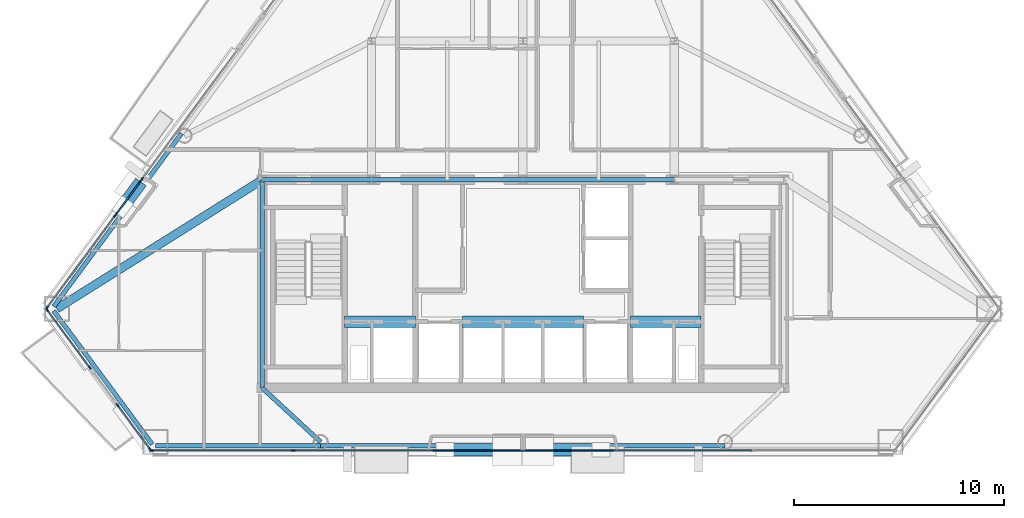
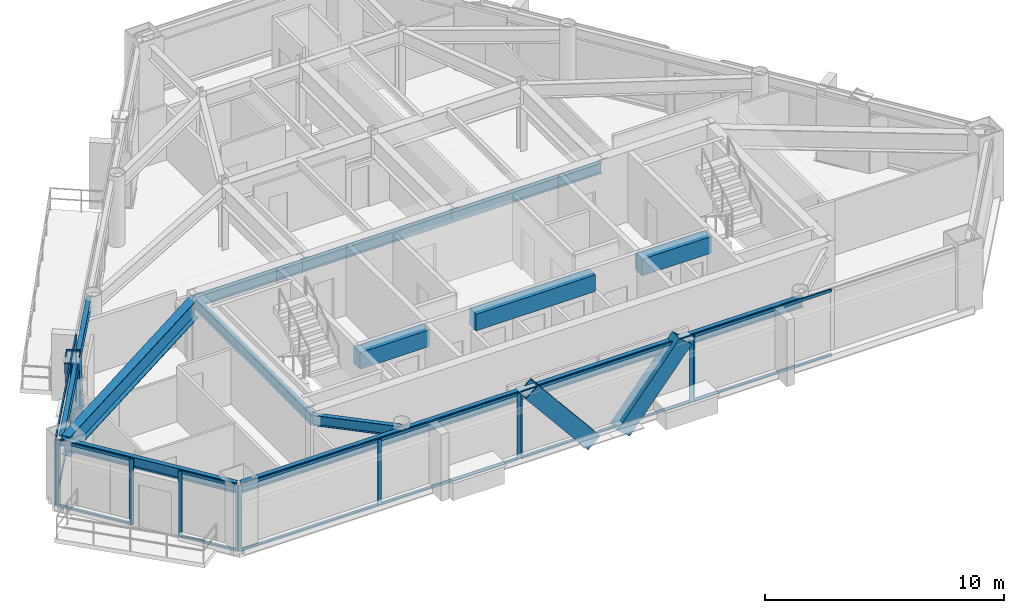
# One storey, part 3 of 11: 34 members, 13 beams, 8 elements without a shape of their own.
"""IFC4 building model written with IfcOpenShell, lengths in metres."""

from ifc_helpers import new_model, si_unit, direction, frame, origin, origin_2d, place, context, subcontext, project, spatial, rectangle, hollow_rectangle, i_section, extrude, material, layer, layer_set, material_profile, profile_set, type_object, element, aggregate, save


model = new_model("IFC4")

# Units and contexts
model_context = context("Model", 3, precision=1e-05, world=origin(), true_north=direction((0.0, 1.0)))
body_context = subcontext(model_context, "Body", "Model", "MODEL_VIEW")
ifc_project = project(units=[si_unit("LENGTHUNIT", "METRE"), si_unit("AREAUNIT", "SQUARE_METRE"), si_unit("VOLUMEUNIT", "CUBIC_METRE"), si_unit("PLANEANGLEUNIT", "RADIAN"), si_unit("MASSUNIT", "GRAM", prefix="KILO")], contexts=[model_context])

# Site, building, storey
site_placement = place(None, origin())
site = spatial("IfcSite", under=ifc_project, at=site_placement, CompositionType="ELEMENT")
building_placement = place(site_placement, origin())
building = spatial("IfcBuilding", under=site, at=building_placement, Name="Talgorran Terracotta Tower", CompositionType="ELEMENT")
storey_placement = place(building_placement, frame((0.0, 0.0, 150.89990234375)))
storey = spatial("IfcBuildingStorey", under=building, at=storey_placement, Name="L39", CompositionType="ELEMENT", Elevation=150.89990234375)

# Beams
ifc_material_1 = material(Name="Steel Grade 350 (350L0)", Category="steel")
ifc_material_profile_1 = material_profile(ifc_material_1, i_section(OverallWidth=0.39990234375, OverallDepth=1.0, WebThickness=0.01611328125, FlangeThickness=0.031005859375, at=origin_2d()), Name="1000WB296")
ifc_profile_set_1 = profile_set([ifc_material_profile_1], Name="Steel Grade 350 (350L0)")
beam_type_1 = type_object("IfcBeamType", Name="BM_1000WB296", PredefinedType="BEAM", material=ifc_profile_set_1)
beam_1_placement = place(storey_placement, frame((-12.39990234375, -4.199951171875, 2.85009765625), z_axis=(-0.846977550412, -0.531628657145, 0.0), x_axis=(0.531628657145, -0.846977550412, 0.0)))
element("IfcBeam", 1, at=beam_1_placement, inside=storey, type_object=beam_type_1, Name="L39 Floor Girder G17", PredefinedType="BEAM", context=body_context, shape_type="SweptSolid", body=[
    extrude(i_section(OverallWidth=0.39990234375, OverallDepth=1.0, WebThickness=0.01611328125, FlangeThickness=0.031005859375, at=origin_2d()), origin(), (0.0, 0.0, 1.0), 11.533203125),
])
ifc_material_2 = material(Name="Concrete C50/60", Category="concrete")
ifc_material_profile_2 = material_profile(ifc_material_2, rectangle(XDim=0.550048828125, YDim=0.85009765625, at=origin_2d()), Name="RCCB550X850")
ifc_profile_set_2 = profile_set([ifc_material_profile_2], Name="Concrete C50/60")
beam_type_2 = type_object("IfcBeamType", Name="BM_CB_550X850", PredefinedType="LINTEL", material=ifc_profile_set_2)
beam_2_placement = place(storey_placement, frame((-8.47998046875, -10.949951171875, 2.925048828125), z_axis=(1.0, 0.0, 0.0), x_axis=(0.0, 1.0, 0.0)))
element("IfcBeam", 2, at=beam_2_placement, inside=storey, type_object=beam_type_2, Name="L39 Core Shear-Wall Coupling Beam CB1", PredefinedType="LINTEL", context=body_context, shape_type="SweptSolid", body=[
    extrude(rectangle(XDim=0.550048828125, YDim=0.85009765625, at=origin_2d()), origin(), (0.0, 0.0, 1.0), 3.35986328125),
])
beam_3_placement = place(storey_placement, frame((-2.8798828125, -10.949951171875, 2.925048828125), z_axis=(1.0, 0.0, 0.0), x_axis=(0.0, 1.0, 0.0)))
element("IfcBeam", 3, at=beam_3_placement, inside=storey, type_object=beam_type_2, Name="L39 Core Shear-Wall Coupling Beam CB2", PredefinedType="LINTEL", context=body_context, shape_type="SweptSolid", body=[
    extrude(rectangle(XDim=0.550048828125, YDim=0.85009765625, at=origin_2d()), origin(), (0.0, 0.0, 1.0), 5.759765625),
])
beam_4_placement = place(storey_placement, frame((5.1201171875, -10.949951171875, 2.925048828125), z_axis=(1.0, 0.0, 0.0), x_axis=(0.0, 1.0, 0.0)))
element("IfcBeam", 4, at=beam_4_placement, inside=storey, type_object=beam_type_2, Name="L39 Core Shear-Wall Coupling Beam CB3", PredefinedType="LINTEL", context=body_context, shape_type="SweptSolid", body=[
    extrude(rectangle(XDim=0.550048828125, YDim=0.85009765625, at=origin_2d()), origin(), (0.0, 0.0, 1.0), 3.35986328125),
])
ifc_material_3 = material(Name="Steel S355 (300PLUS)", Category="steel")
ifc_material_profile_3 = material_profile(ifc_material_3, i_section(OverallWidth=0.209228515625, OverallDepth=0.532958984375, WebThickness=0.01025390625, FlangeThickness=0.015625, at=origin_2d()), Name="530UB92.4")
ifc_profile_set_3 = profile_set([ifc_material_profile_3], Name="Steel S355 (300PLUS)")
beam_type_3 = type_object("IfcBeamType", Name="BM_SP_530UB92", PredefinedType="SPANDREL", material=ifc_profile_set_3)
beam_5_placement = place(storey_placement, frame((-22.31298828125, -10.43798828125, 3.08349609375), z_axis=(0.594068918856, -0.804414146848, 0.0), x_axis=(0.804414146848, 0.594068918856, 0.0)))
element("IfcBeam", 5, at=beam_5_placement, inside=storey, type_object=beam_type_3, Name="L39 Perimeter Spandrel Beam MC1-MC2", PredefinedType="SPANDREL", context=body_context, shape_type="SweptSolid", body=[
    extrude(i_section(OverallWidth=0.209228515625, OverallDepth=0.532958984375, WebThickness=0.01025390625, FlangeThickness=0.015625, at=origin_2d()), origin(), (0.0, 0.0, 1.0), 7.885498046875),
])
beam_6_placement = place(storey_placement, frame((-17.483642578125, -16.8544921875, 3.08349609375), z_axis=(1.0, 0.0, 0.0), x_axis=(0.0, 1.0, 0.0)))
element("IfcBeam", 6, at=beam_6_placement, inside=storey, type_object=beam_type_3, Name="L39 Perimeter Spandrel Beam MC2-FC1", PredefinedType="SPANDREL", context=body_context, shape_type="SweptSolid", body=[
    extrude(i_section(OverallWidth=0.209228515625, OverallDepth=0.532958984375, WebThickness=0.01025390625, FlangeThickness=0.015625, at=origin_2d()), origin(), (0.0, 0.0, 1.0), 7.86767578125),
])
beam_7_placement = place(storey_placement, frame((-9.615966796875, -16.8544921875, 3.08349609375), z_axis=(1.0, 0.0, 0.0), x_axis=(0.0, 1.0, 0.0)))
element("IfcBeam", 7, at=beam_7_placement, inside=storey, type_object=beam_type_3, Name="L39 Perimeter Spandrel Beam FC1-FC2", PredefinedType="SPANDREL", context=body_context, shape_type="SweptSolid", body=[
    extrude(i_section(OverallWidth=0.209228515625, OverallDepth=0.532958984375, WebThickness=0.01025390625, FlangeThickness=0.015625, at=origin_2d()), origin(), (0.0, 0.0, 1.0), 19.23193359375),
])
beam_8_placement = place(storey_placement, frame((-16.236328125, -1.99609375, 3.08349609375), z_axis=(-0.594068215055, -0.804414666613, 0.0), x_axis=(0.804414666613, -0.594068215055, 0.0)))
element("IfcBeam", 8, at=beam_8_placement, inside=storey, type_object=beam_type_3, Name="L39 Perimeter Spandrel Beam FC6-MC1", PredefinedType="SPANDREL", context=body_context, shape_type="SweptSolid", body=[
    extrude(i_section(OverallWidth=0.209228515625, OverallDepth=0.532958984375, WebThickness=0.01025390625, FlangeThickness=0.015625, at=origin_2d()), origin(), (0.0, 0.0, 1.0), 10.22900390625),
])
beam_9_placement = place(storey_placement, frame((-9.615966796875, -16.67431640625, 3.08349609375), z_axis=(-0.734220592544, 0.678910982003, 0.0), x_axis=(-0.678910982003, -0.734220592544, 0.0)))
element("IfcBeam", 9, at=beam_9_placement, inside=storey, type_object=beam_type_3, Name="L39 South-West Core Tie Beam", PredefinedType="SPANDREL", context=body_context, shape_type="SweptSolid", body=[
    extrude(i_section(OverallWidth=0.209228515625, OverallDepth=0.532958984375, WebThickness=0.01025390625, FlangeThickness=0.015625, at=origin_2d()), origin(), (0.0, 0.0, 1.0), 3.791748046875),
])
beam_10_placement = place(storey_placement, frame((-12.39990234375, -14.10009765625, 3.08349609375), z_axis=(0.0, 1.0, 0.0), x_axis=(-1.0, 0.0, 0.0)))
element("IfcBeam", 10, at=beam_10_placement, inside=storey, type_object=beam_type_3, Name="L39 Core Frame Beam CFW", PredefinedType="SPANDREL", context=body_context, shape_type="SweptSolid", body=[
    extrude(i_section(OverallWidth=0.209228515625, OverallDepth=0.532958984375, WebThickness=0.01025390625, FlangeThickness=0.015625, at=origin_2d()), origin(), (0.0, 0.0, 1.0), 9.900146484375),
])
beam_11_placement = place(storey_placement, frame((-12.39990234375, -4.199951171875, 3.08349609375), z_axis=(1.0, 0.0, 0.0), x_axis=(0.0, 1.0, 0.0)))
element("IfcBeam", 11, at=beam_11_placement, inside=storey, type_object=beam_type_3, Name="L39 Core Frame Beam CFN1", PredefinedType="SPANDREL", context=body_context, shape_type="SweptSolid", body=[
    extrude(i_section(OverallWidth=0.209228515625, OverallDepth=0.532958984375, WebThickness=0.01025390625, FlangeThickness=0.015625, at=origin_2d()), origin(), (0.0, 0.0, 1.0), 5.199951171875),
])
for number, where, z_axis, x_axis, name in (
    (12, (-7.199951171875, -4.199951171875, 3.08349609375), (1.0, 0.0, 0.0), (0.0, 1.0, 0.0), "L39 Core Frame Beam CFN2"),
    (13, (0.0, -4.199951171875, 3.08349609375), (1.0, 0.0, 0.0), (0.0, 1.0, 0.0), "L39 Core Frame Beam CFN3"),
):
    element("IfcBeam", number, at=place(storey_placement, frame(where, z_axis=z_axis, x_axis=x_axis)), inside=storey, type_object=beam_type_3, Name=name, PredefinedType="SPANDREL", context=body_context, shape_type="SweptSolid", body=[
        extrude(i_section(OverallWidth=0.209228515625, OverallDepth=0.532958984375, WebThickness=0.01025390625, FlangeThickness=0.015625, at=origin_2d()), origin(), (0.0, 0.0, 1.0), 7.199951171875),
    ])

# Members
ifc_material_profile_4 = material_profile(ifc_material_1, hollow_rectangle(XDim=0.6201171875, YDim=0.780029296875, WallThickness=0.0419921875, at=origin_2d()), Name="WBOX780X620X42")
ifc_profile_set_4 = profile_set([ifc_material_profile_4], Name="Steel Grade 350 (350L0)")
member_type_1 = type_object("IfcMemberType", Name="MB_MEGA_780", PredefinedType="BRACE", material=ifc_profile_set_4)
for number, where, z_axis, x_axis, name in (
    (14, (-0.70654296875, -17.034423828125, -0.27001953125), (-0.635882994629, 0.0, 0.771785473523), (0.0, -1.0, 0.0), "L39 Exterior Face Mega-Brace MB-2 (SWF)"),
    (15, (0.70654296875, -17.034423828125, -0.27001953125), (0.635882994629, 0.0, 0.771785473523), (0.0, 1.0, 0.0), "L39 Exterior Face Mega-Brace MB-2 (SEF)"),
):
    element("IfcMember", number, at=place(storey_placement, frame(where, z_axis=z_axis, x_axis=x_axis)), inside=storey, type_object=member_type_1, Name=name, PredefinedType="BRACE", context=body_context, shape_type="SweptSolid", body=[
        extrude(hollow_rectangle(XDim=0.6201171875, YDim=0.780029296875, WallThickness=0.0419921875, at=origin_2d()), origin(), (0.0, 0.0, 1.0), 4.722900390625),
    ])
member_1_placement = place(storey_placement, frame((-18.385009765625, -4.6025390625, -0.27001953125), z_axis=(-0.171361494792, -0.232030646766, 0.957495178611), x_axis=(0.804407113158, -0.594078442885, 0.0)))
element("IfcMember", 16, at=member_1_placement, inside=storey, type_object=member_type_1, Name="L39 Exterior Face Mega-Brace MB-2 (NWL)", PredefinedType="BRACE", context=body_context, shape_type="SweptSolid", body=[
    extrude(hollow_rectangle(XDim=0.6201171875, YDim=0.780029296875, WallThickness=0.0419921875, at=origin_2d()), origin(), (0.0, 0.0, 1.0), 3.806884765625),
])

# Curtain wall, members
ifc_material_4 = material(Name="Unitised Low-E Double Glazing", Category="glass")
ifc_layer = layer(ifc_material_4, 0.199951171875, Name="CW_SYS2_RES_LOW")
ifc_layer_set = layer_set([ifc_layer], Name="Unitised Low-E Double Glazing")
curtain_wall_type = type_object("IfcCurtainWallType", Name="CW_SYS2_RES_LOW", PredefinedType="NOTDEFINED", material=ifc_layer_set)
curtain_wall_1_placement = place(storey_placement, origin())
curtain_wall_1 = element("IfcCurtainWall", 17, at=curtain_wall_1_placement, inside=storey, type_object=curtain_wall_type, Name="CW-L39-F10", PredefinedType="NOTDEFINED")
ifc_material_5 = material(Name="Architectural Aluminium 6063-T6", Category="aluminium")
ifc_material_profile_5 = material_profile(ifc_material_5, rectangle(XDim=0.06494140625, YDim=0.18505859375, at=origin_2d()), Name="CWM65X185")
ifc_profile_set_5 = profile_set([ifc_material_profile_5], Name="Architectural Aluminium 6063-T6")
member_type_2 = type_object("IfcMemberType", Name="MUL_65X185", PredefinedType="MULLION", material=ifc_profile_set_5)
member_2_placement = place(storey_placement, frame((-22.622314453125, -10.3896484375, 0.0), z_axis=(0.0, 0.0, 1.0), x_axis=(0.804413538674, 0.594069742369, 0.0)))
member_2 = element("IfcMember", 18, at=member_2_placement, type_object=member_type_2, Name="CW-L39-10 mullion 1", PredefinedType="MULLION", context=body_context, shape_type="SweptSolid", body=[
    extrude(rectangle(XDim=0.06494140625, YDim=0.18505859375, at=origin_2d()), origin(), (0.0, 0.0, 1.0), 3.35009765625),
])
member_3_placement = place(storey_placement, frame((-20.60205078125, -13.125244140625, 0.0), z_axis=(0.0, 0.0, 1.0), x_axis=(0.804413538674, 0.594069742369, 0.0)))
member_3 = element("IfcMember", 19, at=member_3_placement, type_object=member_type_2, Name="CW-L39-10 mullion 2", PredefinedType="MULLION", context=body_context, shape_type="SweptSolid", body=[
    extrude(rectangle(XDim=0.06494140625, YDim=0.18505859375, at=origin_2d()), origin(), (0.0, 0.0, 1.0), 3.35009765625),
])

curtain_wall_2_placement = place(storey_placement, origin())
curtain_wall_2 = element("IfcCurtainWall", 20, at=curtain_wall_2_placement, inside=storey, type_object=curtain_wall_type, Name="CW-L39-F11", PredefinedType="NOTDEFINED")
member_4_placement = place(storey_placement, frame((-19.2802734375, -14.9150390625, 0.0), z_axis=(0.0, 0.0, 1.0), x_axis=(0.804415964827, 0.594066457167, 0.0)))
member_4 = element("IfcMember", 21, at=member_4_placement, type_object=member_type_2, Name="CW-L39-11 mullion 1", PredefinedType="MULLION", context=body_context, shape_type="SweptSolid", body=[
    extrude(rectangle(XDim=0.06494140625, YDim=0.18505859375, at=origin_2d()), origin(), (0.0, 0.0, 1.0), 3.35009765625),
])
member_5_placement = place(storey_placement, frame((-17.728515625, -17.01611328125, 0.0), z_axis=(0.0, 0.0, 1.0), x_axis=(0.804415964827, 0.594066457167, 0.0)))
member_5 = element("IfcMember", 22, at=member_5_placement, type_object=member_type_2, Name="CW-L39-11 mullion 2", PredefinedType="MULLION", context=body_context, shape_type="SweptSolid", body=[
    extrude(rectangle(XDim=0.06494140625, YDim=0.18505859375, at=origin_2d()), origin(), (0.0, 0.0, 1.0), 3.35009765625),
])

curtain_wall_3_placement = place(storey_placement, origin())
curtain_wall_3 = element("IfcCurtainWall", 23, at=curtain_wall_3_placement, inside=storey, type_object=curtain_wall_type, Name="CW-L39-F1", PredefinedType="NOTDEFINED")
member_6_placement = place(storey_placement, frame((-17.65283203125, -17.074462890625, 0.0), z_axis=(0.0, 0.0, 1.0), x_axis=(0.0, 1.0, 0.0)))
member_6 = element("IfcMember", 24, at=member_6_placement, type_object=member_type_2, Name="CW-L39-1 mullion 1", PredefinedType="MULLION", context=body_context, shape_type="SweptSolid", body=[
    extrude(rectangle(XDim=0.06494140625, YDim=0.18505859375, at=origin_2d()), origin(), (0.0, 0.0, 1.0), 3.35009765625),
])
member_7_placement = place(storey_placement, frame((-10.925537109375, -17.074462890625, 0.0), z_axis=(0.0, 0.0, 1.0), x_axis=(0.0, 1.0, 0.0)))
member_7 = element("IfcMember", 25, at=member_7_placement, type_object=member_type_2, Name="CW-L39-1 mullion 2", PredefinedType="MULLION", context=body_context, shape_type="SweptSolid", body=[
    extrude(rectangle(XDim=0.06494140625, YDim=0.18505859375, at=origin_2d()), origin(), (0.0, 0.0, 1.0), 3.35009765625),
])
member_8_placement = place(storey_placement, frame((-4.1982421875, -17.074462890625, 0.0), z_axis=(0.0, 0.0, 1.0), x_axis=(0.0, 1.0, 0.0)))
member_8 = element("IfcMember", 26, at=member_8_placement, type_object=member_type_2, Name="CW-L39-1 mullion 3", PredefinedType="MULLION", context=body_context, shape_type="SweptSolid", body=[
    extrude(rectangle(XDim=0.06494140625, YDim=0.18505859375, at=origin_2d()), origin(), (0.0, 0.0, 1.0), 3.35009765625),
])

curtain_wall_4_placement = place(storey_placement, origin())
curtain_wall_4 = element("IfcCurtainWall", 27, at=curtain_wall_4_placement, inside=storey, type_object=curtain_wall_type, Name="CW-L39-F1B", PredefinedType="NOTDEFINED")
member_9_placement = place(storey_placement, frame((-4.123291015625, -17.074462890625, 0.0), z_axis=(0.0, 0.0, 1.0), x_axis=(0.0, 1.0, 0.0)))
member_9 = element("IfcMember", 28, at=member_9_placement, type_object=member_type_2, Name="CW-L39-1B mullion 1", PredefinedType="MULLION", context=body_context, shape_type="SweptSolid", body=[
    extrude(rectangle(XDim=0.06494140625, YDim=0.18505859375, at=origin_2d()), origin(), (0.0, 0.0, 1.0), 3.35009765625),
])
member_10_placement = place(storey_placement, frame((4.123291015625, -17.074462890625, 0.0), z_axis=(0.0, 0.0, 1.0), x_axis=(0.0, 1.0, 0.0)))
member_10 = element("IfcMember", 29, at=member_10_placement, type_object=member_type_2, Name="CW-L39-1B mullion 2", PredefinedType="MULLION", context=body_context, shape_type="SweptSolid", body=[
    extrude(rectangle(XDim=0.06494140625, YDim=0.18505859375, at=origin_2d()), origin(), (0.0, 0.0, 1.0), 3.35009765625),
])

# Curtain wall, member
curtain_wall_5_placement = place(storey_placement, origin())
curtain_wall_5 = element("IfcCurtainWall", 30, at=curtain_wall_5_placement, inside=storey, type_object=curtain_wall_type, Name="CW-L39-F1C", PredefinedType="NOTDEFINED")
member_11_placement = place(storey_placement, frame((4.1982421875, -17.074462890625, 0.0), z_axis=(0.0, 0.0, 1.0), x_axis=(0.0, 1.0, 0.0)))
member_11 = element("IfcMember", 31, at=member_11_placement, type_object=member_type_2, Name="CW-L39-1C mullion 1", PredefinedType="MULLION", context=body_context, shape_type="SweptSolid", body=[
    extrude(rectangle(XDim=0.06494140625, YDim=0.18505859375, at=origin_2d()), origin(), (0.0, 0.0, 1.0), 3.35009765625),
])

curtain_wall_6_placement = place(storey_placement, origin())
curtain_wall_6 = element("IfcCurtainWall", 32, at=curtain_wall_6_placement, inside=storey, type_object=curtain_wall_type, Name="CW-L39-F61", PredefinedType="NOTDEFINED")
member_12_placement = place(storey_placement, frame((-18.1123046875, -4.165771484375, 0.0), z_axis=(0.0, 0.0, 1.0), x_axis=(0.804406965386, -0.594078642975, 0.0)))
member_12 = element("IfcMember", 33, at=member_12_placement, type_object=member_type_2, Name="CW-L39-61 mullion 2", PredefinedType="MULLION", context=body_context, shape_type="SweptSolid", body=[
    extrude(rectangle(XDim=0.06494140625, YDim=0.18505859375, at=origin_2d()), origin(), (0.0, 0.0, 1.0), 3.35009765625),
])
aggregate(curtain_wall_6, [member_12])

# Curtain wall, members
curtain_wall_7_placement = place(storey_placement, origin())
curtain_wall_7 = element("IfcCurtainWall", 34, at=curtain_wall_7_placement, inside=storey, type_object=curtain_wall_type, Name="CW-L39-F61B", PredefinedType="NOTDEFINED")
member_13_placement = place(storey_placement, frame((-18.15673828125, -4.22607421875, 0.0), z_axis=(0.0, 0.0, 1.0), x_axis=(0.804399102214, -0.594089289886, 0.0)))
member_13 = element("IfcMember", 35, at=member_13_placement, type_object=member_type_2, Name="CW-L39-61B mullion 1", PredefinedType="MULLION", context=body_context, shape_type="SweptSolid", body=[
    extrude(rectangle(XDim=0.06494140625, YDim=0.18505859375, at=origin_2d()), origin(), (0.0, 0.0, 1.0), 3.35009765625),
])
member_14_placement = place(storey_placement, frame((-19.358154296875, -5.85302734375, 0.0), z_axis=(0.0, 0.0, 1.0), x_axis=(0.804399102214, -0.594089289886, 0.0)))
member_14 = element("IfcMember", 36, at=member_14_placement, type_object=member_type_2, Name="CW-L39-61B mullion 2", PredefinedType="MULLION", context=body_context, shape_type="SweptSolid", body=[
    extrude(rectangle(XDim=0.06494140625, YDim=0.18505859375, at=origin_2d()), origin(), (0.0, 0.0, 1.0), 3.35009765625),
])

curtain_wall_8_placement = place(storey_placement, origin())
curtain_wall_8 = element("IfcCurtainWall", 37, at=curtain_wall_8_placement, inside=storey, type_object=curtain_wall_type, Name="CW-L39-F61C", PredefinedType="NOTDEFINED")
member_15_placement = place(storey_placement, frame((-19.402587890625, -5.913330078125, 0.0), z_axis=(0.0, 0.0, 1.0), x_axis=(0.804408736323, -0.594076245045, 0.0)))
member_15 = element("IfcMember", 38, at=member_15_placement, type_object=member_type_2, Name="CW-L39-61C mullion 1", PredefinedType="MULLION", context=body_context, shape_type="SweptSolid", body=[
    extrude(rectangle(XDim=0.06494140625, YDim=0.18505859375, at=origin_2d()), origin(), (0.0, 0.0, 1.0), 3.35009765625),
])
member_16_placement = place(storey_placement, frame((-22.622314453125, -10.27294921875, 0.0), z_axis=(0.0, 0.0, 1.0), x_axis=(0.804408736323, -0.594076245045, 0.0)))
member_16 = element("IfcMember", 39, at=member_16_placement, type_object=member_type_2, Name="CW-L39-61C mullion 2", PredefinedType="MULLION", context=body_context, shape_type="SweptSolid", body=[
    extrude(rectangle(XDim=0.06494140625, YDim=0.18505859375, at=origin_2d()), origin(), (0.0, 0.0, 1.0), 3.35009765625),
])

# Member
ifc_material_profile_6 = material_profile(ifc_material_5, rectangle(XDim=0.06494140625, YDim=0.14990234375, at=origin_2d()), Name="CWT65X150")
ifc_profile_set_6 = profile_set([ifc_material_profile_6], Name="Architectural Aluminium 6063-T6")
member_type_3 = type_object("IfcMemberType", Name="TRN_65X150", PredefinedType="USERDEFINED", material=ifc_profile_set_6)
member_17_placement = place(storey_placement, frame((-22.60302734375, -10.415771484375, 0.03271484375), z_axis=(0.594069986991, -0.804413358017, 0.0), x_axis=(0.804413358017, 0.594069986991, 0.0)))
member_17 = element("IfcMember", 40, at=member_17_placement, type_object=member_type_3, Name="CW-L39-10 transom 1.1", ObjectType="TRANSOM", PredefinedType="USERDEFINED", context=body_context, shape_type="SweptSolid", body=[
    extrude(rectangle(XDim=0.06494140625, YDim=0.14990234375, at=origin_2d()), origin(), (0.0, 0.0, 1.0), 3.335693359375),
])

member_18_placement = place(storey_placement, frame((-22.60302734375, -10.415771484375, 3.317626953125), z_axis=(0.594069986991, -0.804413358017, 0.0), x_axis=(0.804413358017, 0.594069986991, 0.0)))
member_18 = element("IfcMember", 41, at=member_18_placement, type_object=member_type_3, Name="CW-L39-10 transom 1.2", ObjectType="TRANSOM", PredefinedType="USERDEFINED", context=body_context, shape_type="SweptSolid", body=[
    extrude(rectangle(XDim=0.06494140625, YDim=0.14990234375, at=origin_2d()), origin(), (0.0, 0.0, 1.0), 3.335693359375),
])

aggregate(curtain_wall_1, [member_2, member_3, member_17, member_18])

member_19_placement = place(storey_placement, frame((-19.260986328125, -14.941162109375, 0.03271484375), z_axis=(0.594094557201, -0.804395212009, 0.0), x_axis=(0.804395212009, 0.594094557201, 0.0)))
member_19 = element("IfcMember", 42, at=member_19_placement, type_object=member_type_3, Name="CW-L39-11 transom 1.1", ObjectType="TRANSOM", PredefinedType="USERDEFINED", context=body_context, shape_type="SweptSolid", body=[
    extrude(rectangle(XDim=0.06494140625, YDim=0.14990234375, at=origin_2d()), origin(), (0.0, 0.0, 1.0), 2.547119140625),
])

member_20_placement = place(storey_placement, frame((-19.260986328125, -14.941162109375, 3.317626953125), z_axis=(0.594094557201, -0.804395212009, 0.0), x_axis=(0.804395212009, 0.594094557201, 0.0)))
member_20 = element("IfcMember", 43, at=member_20_placement, type_object=member_type_3, Name="CW-L39-11 transom 1.2", ObjectType="TRANSOM", PredefinedType="USERDEFINED", context=body_context, shape_type="SweptSolid", body=[
    extrude(rectangle(XDim=0.06494140625, YDim=0.14990234375, at=origin_2d()), origin(), (0.0, 0.0, 1.0), 2.547119140625),
])

aggregate(curtain_wall_2, [member_4, member_5, member_19, member_20])

member_21_placement = place(storey_placement, frame((-17.620361328125, -17.074462890625, 0.03271484375), z_axis=(1.0, 0.0, 0.0), x_axis=(0.0, 1.0, 0.0)))
member_21 = element("IfcMember", 44, at=member_21_placement, type_object=member_type_3, Name="CW-L39-1 transom 1.1", ObjectType="TRANSOM", PredefinedType="USERDEFINED", context=body_context, shape_type="SweptSolid", body=[
    extrude(rectangle(XDim=0.06494140625, YDim=0.14990234375, at=origin_2d()), origin(), (0.0, 0.0, 1.0), 6.662353515625),
])

member_22_placement = place(storey_placement, frame((-17.620361328125, -17.074462890625, 3.317626953125), z_axis=(1.0, 0.0, 0.0), x_axis=(0.0, 1.0, 0.0)))
member_22 = element("IfcMember", 45, at=member_22_placement, type_object=member_type_3, Name="CW-L39-1 transom 1.2", ObjectType="TRANSOM", PredefinedType="USERDEFINED", context=body_context, shape_type="SweptSolid", body=[
    extrude(rectangle(XDim=0.06494140625, YDim=0.14990234375, at=origin_2d()), origin(), (0.0, 0.0, 1.0), 6.662353515625),
])

member_23_placement = place(storey_placement, frame((-10.89306640625, -17.074462890625, 0.03271484375), z_axis=(1.0, 0.0, 0.0), x_axis=(0.0, 1.0, 0.0)))
member_23 = element("IfcMember", 46, at=member_23_placement, type_object=member_type_3, Name="CW-L39-1 transom 2.1", ObjectType="TRANSOM", PredefinedType="USERDEFINED", context=body_context, shape_type="SweptSolid", body=[
    extrude(rectangle(XDim=0.06494140625, YDim=0.14990234375, at=origin_2d()), origin(), (0.0, 0.0, 1.0), 6.662353515625),
])

member_24_placement = place(storey_placement, frame((-10.89306640625, -17.074462890625, 3.317626953125), z_axis=(1.0, 0.0, 0.0), x_axis=(0.0, 1.0, 0.0)))
member_24 = element("IfcMember", 47, at=member_24_placement, type_object=member_type_3, Name="CW-L39-1 transom 2.2", ObjectType="TRANSOM", PredefinedType="USERDEFINED", context=body_context, shape_type="SweptSolid", body=[
    extrude(rectangle(XDim=0.06494140625, YDim=0.14990234375, at=origin_2d()), origin(), (0.0, 0.0, 1.0), 6.662353515625),
])

aggregate(curtain_wall_3, [member_6, member_7, member_8, member_21, member_22, member_23, member_24])

member_25_placement = place(storey_placement, frame((-4.0908203125, -17.074462890625, 0.03271484375), z_axis=(1.0, 0.0, 0.0), x_axis=(0.0, 1.0, 0.0)))
member_25 = element("IfcMember", 48, at=member_25_placement, type_object=member_type_3, Name="CW-L39-1B transom 1.1", ObjectType="TRANSOM", PredefinedType="USERDEFINED", context=body_context, shape_type="SweptSolid", body=[
    extrude(rectangle(XDim=0.06494140625, YDim=0.14990234375, at=origin_2d()), origin(), (0.0, 0.0, 1.0), 8.181640625),
])

member_26_placement = place(storey_placement, frame((-4.0908203125, -17.074462890625, 3.317626953125), z_axis=(1.0, 0.0, 0.0), x_axis=(0.0, 1.0, 0.0)))
member_26 = element("IfcMember", 49, at=member_26_placement, type_object=member_type_3, Name="CW-L39-1B transom 1.2", ObjectType="TRANSOM", PredefinedType="USERDEFINED", context=body_context, shape_type="SweptSolid", body=[
    extrude(rectangle(XDim=0.06494140625, YDim=0.14990234375, at=origin_2d()), origin(), (0.0, 0.0, 1.0), 8.181640625),
])

aggregate(curtain_wall_4, [member_9, member_10, member_25, member_26])

member_27_placement = place(storey_placement, frame((4.230712890625, -17.074462890625, 0.03271484375), z_axis=(1.0, 0.0, 0.0), x_axis=(0.0, 1.0, 0.0)))
member_27 = element("IfcMember", 50, at=member_27_placement, type_object=member_type_3, Name="CW-L39-1C transom 1.1", ObjectType="TRANSOM", PredefinedType="USERDEFINED", context=body_context, shape_type="SweptSolid", body=[
    extrude(rectangle(XDim=0.06494140625, YDim=0.14990234375, at=origin_2d()), origin(), (0.0, 0.0, 1.0), 6.662353515625),
])

member_28_placement = place(storey_placement, frame((4.230712890625, -17.074462890625, 3.317626953125), z_axis=(1.0, 0.0, 0.0), x_axis=(0.0, 1.0, 0.0)))
member_28 = element("IfcMember", 51, at=member_28_placement, type_object=member_type_3, Name="CW-L39-1C transom 1.2", ObjectType="TRANSOM", PredefinedType="USERDEFINED", context=body_context, shape_type="SweptSolid", body=[
    extrude(rectangle(XDim=0.06494140625, YDim=0.14990234375, at=origin_2d()), origin(), (0.0, 0.0, 1.0), 6.662353515625),
])

aggregate(curtain_wall_5, [member_11, member_27, member_28])

member_29_placement = place(storey_placement, frame((-18.176025390625, -4.252197265625, 0.03271484375), z_axis=(-0.594036819638, -0.804437851493, 0.0), x_axis=(0.804437851493, -0.594036819638, 0.0)))
member_29 = element("IfcMember", 52, at=member_29_placement, type_object=member_type_3, Name="CW-L39-61B transom 1.1", ObjectType="TRANSOM", PredefinedType="USERDEFINED", context=body_context, shape_type="SweptSolid", body=[
    extrude(rectangle(XDim=0.06494140625, YDim=0.14990234375, at=origin_2d()), origin(), (0.0, 0.0, 1.0), 1.95751953125),
])

member_30_placement = place(storey_placement, frame((-18.176025390625, -4.252197265625, 3.317626953125), z_axis=(-0.594036819638, -0.804437851493, 0.0), x_axis=(0.804437851493, -0.594036819638, 0.0)))
member_30 = element("IfcMember", 53, at=member_30_placement, type_object=member_type_3, Name="CW-L39-61B transom 1.2", ObjectType="TRANSOM", PredefinedType="USERDEFINED", context=body_context, shape_type="SweptSolid", body=[
    extrude(rectangle(XDim=0.06494140625, YDim=0.14990234375, at=origin_2d()), origin(), (0.0, 0.0, 1.0), 1.95751953125),
])

aggregate(curtain_wall_7, [member_13, member_14, member_29, member_30])

member_31_placement = place(storey_placement, frame((-19.422119140625, -5.939453125, 0.03271484375), z_axis=(-0.594052560213, -0.804426227633, 0.0), x_axis=(0.804426227633, -0.594052560213, 0.0)))
member_31 = element("IfcMember", 54, at=member_31_placement, type_object=member_type_3, Name="CW-L39-61C transom 1.1", ObjectType="TRANSOM", PredefinedType="USERDEFINED", context=body_context, shape_type="SweptSolid", body=[
    extrude(rectangle(XDim=0.06494140625, YDim=0.14990234375, at=origin_2d()), origin(), (0.0, 0.0, 1.0), 5.3544921875),
])

member_32_placement = place(storey_placement, frame((-19.422119140625, -5.939453125, 3.317626953125), z_axis=(-0.594052560213, -0.804426227633, 0.0), x_axis=(0.804426227633, -0.594052560213, 0.0)))
member_32 = element("IfcMember", 55, at=member_32_placement, type_object=member_type_3, Name="CW-L39-61C transom 1.2", ObjectType="TRANSOM", PredefinedType="USERDEFINED", context=body_context, shape_type="SweptSolid", body=[
    extrude(rectangle(XDim=0.06494140625, YDim=0.14990234375, at=origin_2d()), origin(), (0.0, 0.0, 1.0), 5.3544921875),
])

aggregate(curtain_wall_8, [member_15, member_16, member_31, member_32])

save(model, "model.ifc")
